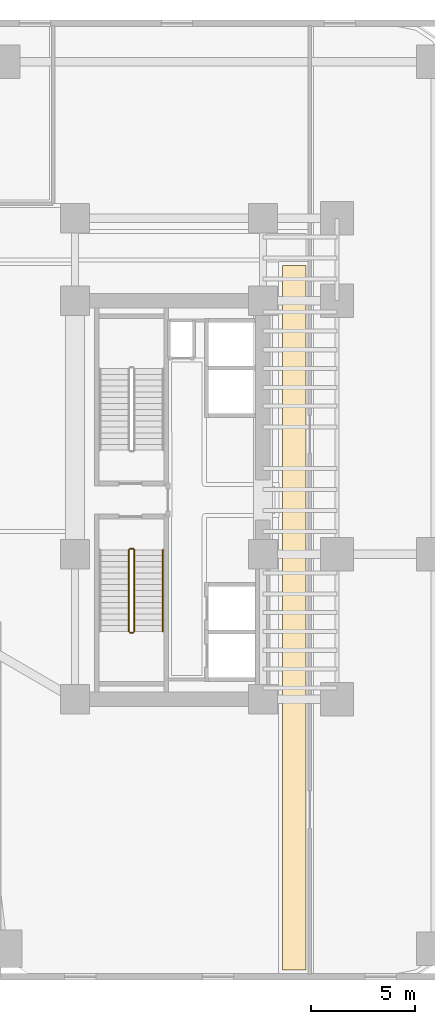
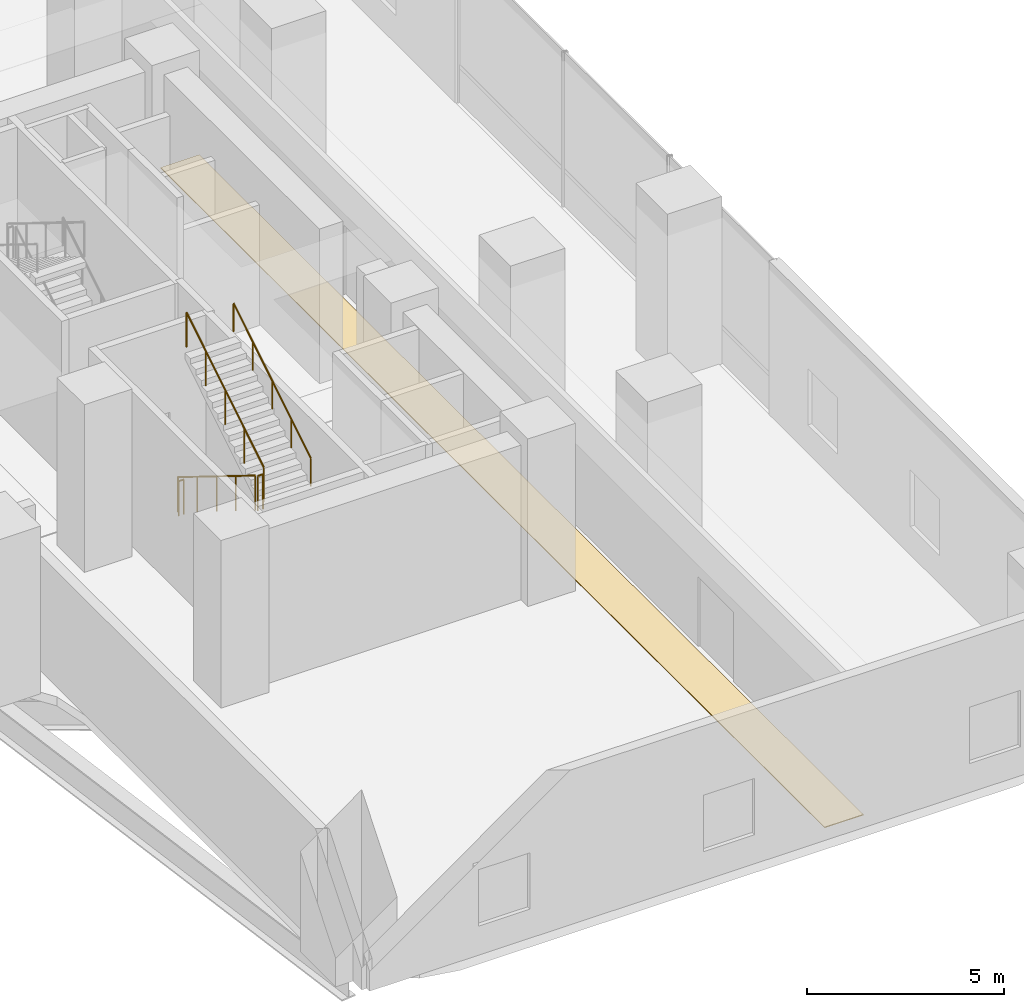
# One storey, part 35 of 39: 5 railings, 1 covering.
"""IFC4 building model written with IfcOpenShell, lengths in metres."""

from ifc_helpers import new_model, si_unit, direction, frame, origin, origin_2d, place, context, subcontext, project, spatial, polyline, circle, outline, extrude, material, layer, layer_set, type_object, element, save


model = new_model("IFC4")

# Units and contexts
model_context = context("Model", 3, precision=1e-05, world=origin(), true_north=direction((0.0, 1.0)))
body_context = subcontext(model_context, "Body", "Model", "MODEL_VIEW")
ifc_project = project(units=[si_unit("LENGTHUNIT", "METRE"), si_unit("AREAUNIT", "SQUARE_METRE"), si_unit("VOLUMEUNIT", "CUBIC_METRE"), si_unit("PLANEANGLEUNIT", "RADIAN"), si_unit("MASSUNIT", "GRAM", prefix="KILO")], contexts=[model_context])

# Site, building, storey
site_placement = place(None, origin())
site = spatial("IfcSite", under=ifc_project, at=site_placement, CompositionType="ELEMENT")
building_placement = place(site_placement, origin())
building = spatial("IfcBuilding", under=site, at=building_placement, Name="Valdorenza Pilgrim Sanctuary Tower", CompositionType="ELEMENT")
storey_placement = place(building_placement, frame((0.0, 0.0, 15.60009765625)))
storey = spatial("IfcBuildingStorey", under=building, at=storey_placement, Name="L03", CompositionType="ELEMENT", Elevation=15.60009765625)

# Covering
ifc_material_1 = material(Name="Honed travertine stone flooring", Category="masonry")
ifc_layer = layer(ifc_material_1, 0.030029296875, Name="Honed travertine stone flooring")
ifc_layer_set = layer_set([ifc_layer], Name="Honed travertine stone flooring")
covering_type = type_object("IfcCoveringType", Name="COV-FLR-TRV", PredefinedType="FLOORING", material=ifc_layer_set)
covering_placement = place(storey_placement, origin())
element("IfcCovering", 1, at=covering_placement, inside=storey, type_object=covering_type, Name="L03 L03 Podium East Corridor Flooring", PredefinedType="FLOORING", context=body_context, shape_type="SweptSolid", body=[
    extrude(outline(polyline([(25.780029296875, -22.52001953125), (25.780029296875, -0.846923828125), (25.780029296875, -0.8466796875), (25.780029296875, -0.8466796875), (25.78173828125, -0.8291015625), (25.78173828125, -0.828857421875), (25.781982421875, -0.820068359375), (25.781982421875, 0.820068359375), (25.780029296875, 11.238037109375), (26.91796875, 11.238037109375), (26.91796875, -22.52001953125), (25.780029296875, -22.52001953125)])), origin(), (0.0, 0.0, 1.0), 0.02490234375),
])

# Railings
ifc_material_2 = material(Name="Stainless steel Grade 316", Category="steel")
railing_type_1 = type_object("IfcRailingType", Name="RLG-GRD-1120", PredefinedType="GUARDRAIL", material=ifc_material_2)
railing_1_placement = place(storey_placement, frame((18.429931640625, -2.3798828125, 0.17333984375)))
element("IfcRailing", 2, at=railing_1_placement, inside=storey, type_object=railing_type_1, Name="L03 ST-B2 stair guard 1", PredefinedType="GUARDRAIL", context=body_context, shape_type="SweptSolid", body=[
    extrude(circle(Radius=0.02392578125, at=origin_2d()), frame((0.0, 0.0, 1.076171875), z_axis=(0.0, -0.850289973577, 0.526314507528), x_axis=(1.0, 0.0, 0.0)), (0.0, 0.0, 1.0), 4.6103515625),
    extrude(circle(Radius=0.02099609375, at=origin_2d()), origin(), (0.0, 0.0, 1.0), 1.052001953125),
    extrude(circle(Radius=0.02099609375, at=origin_2d()), frame((0.0, -0.97998046875, 0.606689453125)), (0.0, 0.0, 1.0), 1.052001953125),
    extrude(circle(Radius=0.02099609375, at=origin_2d()), frame((0.0, -1.9599609375, 1.21337890625)), (0.0, 0.0, 1.0), 1.052001953125),
    extrude(circle(Radius=0.02099609375, at=origin_2d()), frame((0.0, -2.940185546875, 1.81982421875)), (0.0, 0.0, 1.0), 1.052001953125),
    extrude(circle(Radius=0.02099609375, at=origin_2d()), frame((0.0, -3.920166015625, 2.426513671875)), (0.0, 0.0, 1.0), 1.052001953125),
])
railing_2_placement = place(storey_placement, frame((18.47998046875, -6.35009765625, 2.599853515625)))
element("IfcRailing", 3, at=railing_2_placement, inside=storey, type_object=railing_type_1, Name="L03 ST-B2 stair guard 2", PredefinedType="GUARDRAIL", context=body_context, shape_type="SweptSolid", body=[
    extrude(circle(Radius=0.02392578125, at=origin_2d()), frame((0.0, 0.0, 1.076171875), z_axis=(1.0, 0.0, 0.0), x_axis=(0.0, 1.0, 0.0)), (0.0, 0.0, 1.0), 0.14990234375),
    extrude(circle(Radius=0.02099609375, at=origin_2d()), origin(), (0.0, 0.0, 1.0), 1.052001953125),
    extrude(circle(Radius=0.02099609375, at=origin_2d()), frame((0.14990234375, 0.0, 0.0)), (0.0, 0.0, 1.0), 1.052001953125),
])
railing_3_placement = place(storey_placement, frame((18.679931640625, -6.300048828125, 2.773193359375)))
element("IfcRailing", 4, at=railing_3_placement, inside=storey, type_object=railing_type_1, Name="L03 ST-B2 stair guard 3", PredefinedType="GUARDRAIL", context=body_context, shape_type="SweptSolid", body=[
    extrude(circle(Radius=0.02392578125, at=origin_2d()), frame((0.0, 0.0, 1.076171875), z_axis=(0.0, 0.850266275192, 0.526352791643), x_axis=(-1.0, 0.0, 0.0)), (0.0, 0.0, 1.0), 4.610595703125),
    extrude(circle(Radius=0.02099609375, at=origin_2d()), origin(), (0.0, 0.0, 1.0), 1.052001953125),
    extrude(circle(Radius=0.02099609375, at=origin_2d()), frame((0.0, 0.97998046875, 0.606689453125)), (0.0, 0.0, 1.0), 1.052001953125),
    extrude(circle(Radius=0.02099609375, at=origin_2d()), frame((0.0, 1.9599609375, 1.21337890625)), (0.0, 0.0, 1.0), 1.052001953125),
    extrude(circle(Radius=0.02099609375, at=origin_2d()), frame((0.0, 2.940185546875, 1.820068359375)), (0.0, 0.0, 1.0), 1.052001953125),
    extrude(circle(Radius=0.02099609375, at=origin_2d()), frame((0.0, 3.920166015625, 2.4267578125)), (0.0, 0.0, 1.0), 1.052001953125),
])
railing_4_placement = place(storey_placement, frame((18.47998046875, -2.330078125, 0.0)))
element("IfcRailing", 5, at=railing_4_placement, inside=storey, type_object=railing_type_1, Name="L03 ST-B2 stair guard 4", PredefinedType="GUARDRAIL", context=body_context, shape_type="SweptSolid", body=[
    extrude(circle(Radius=0.02392578125, at=origin_2d()), frame((0.0, 0.0, 1.076171875), z_axis=(1.0, 0.0, 0.0), x_axis=(0.0, 1.0, 0.0)), (0.0, 0.0, 1.0), 0.14990234375),
    extrude(circle(Radius=0.02099609375, at=origin_2d()), origin(), (0.0, 0.0, 1.0), 1.052001953125),
    extrude(circle(Radius=0.02099609375, at=origin_2d()), frame((0.14990234375, 0.0, 0.0)), (0.0, 0.0, 1.0), 1.052001953125),
])
ifc_material_3 = material(Name="Brushed stainless steel Grade 316", Category="steel")
railing_type_2 = type_object("IfcRailingType", Name="RLG-HND-920", PredefinedType="HANDRAIL", material=ifc_material_3)
railing_5_placement = place(storey_placement, frame((20.06005859375, -6.300048828125, 2.773193359375)))
element("IfcRailing", 6, at=railing_5_placement, inside=storey, type_object=railing_type_2, Name="L03 ST-B2 stair handrail 2", PredefinedType="HANDRAIL", context=body_context, shape_type="SweptSolid", body=[
    extrude(circle(Radius=0.02392578125, at=origin_2d()), frame((0.0, 0.0, 0.8759765625), z_axis=(0.0, 0.850266275192, 0.526352791643), x_axis=(-1.0, 0.0, 0.0)), (0.0, 0.0, 1.0), 4.610595703125),
    extrude(circle(Radius=0.02099609375, at=origin_2d()), origin(), (0.0, 0.0, 1.0), 0.851806640625),
    extrude(circle(Radius=0.02099609375, at=origin_2d()), frame((0.0, 0.97998046875, 0.606689453125)), (0.0, 0.0, 1.0), 0.851806640625),
    extrude(circle(Radius=0.02099609375, at=origin_2d()), frame((0.0, 1.9599609375, 1.21337890625)), (0.0, 0.0, 1.0), 0.851806640625),
    extrude(circle(Radius=0.02099609375, at=origin_2d()), frame((0.0, 2.940185546875, 1.820068359375)), (0.0, 0.0, 1.0), 0.851806640625),
    extrude(circle(Radius=0.02099609375, at=origin_2d()), frame((0.0, 3.920166015625, 2.4267578125)), (0.0, 0.0, 1.0), 0.851806640625),
])

save(model, "model.ifc")
